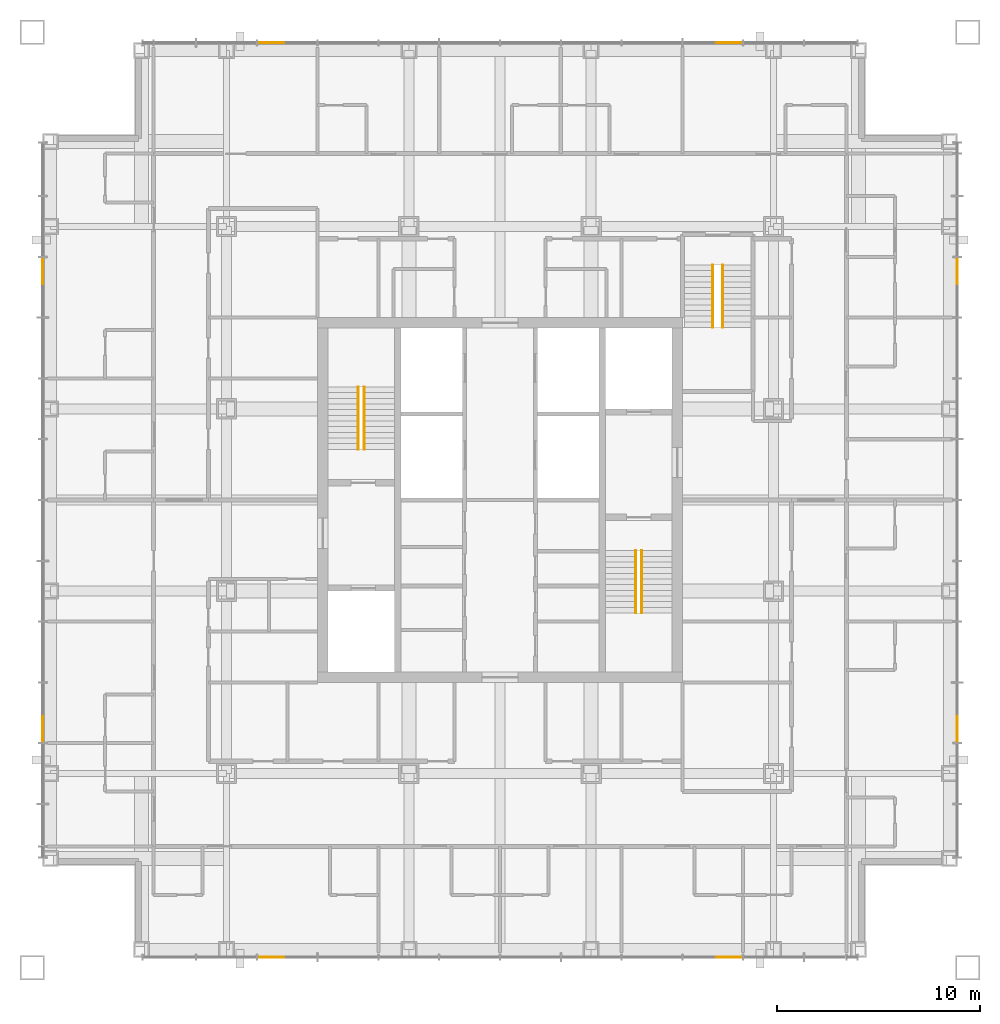
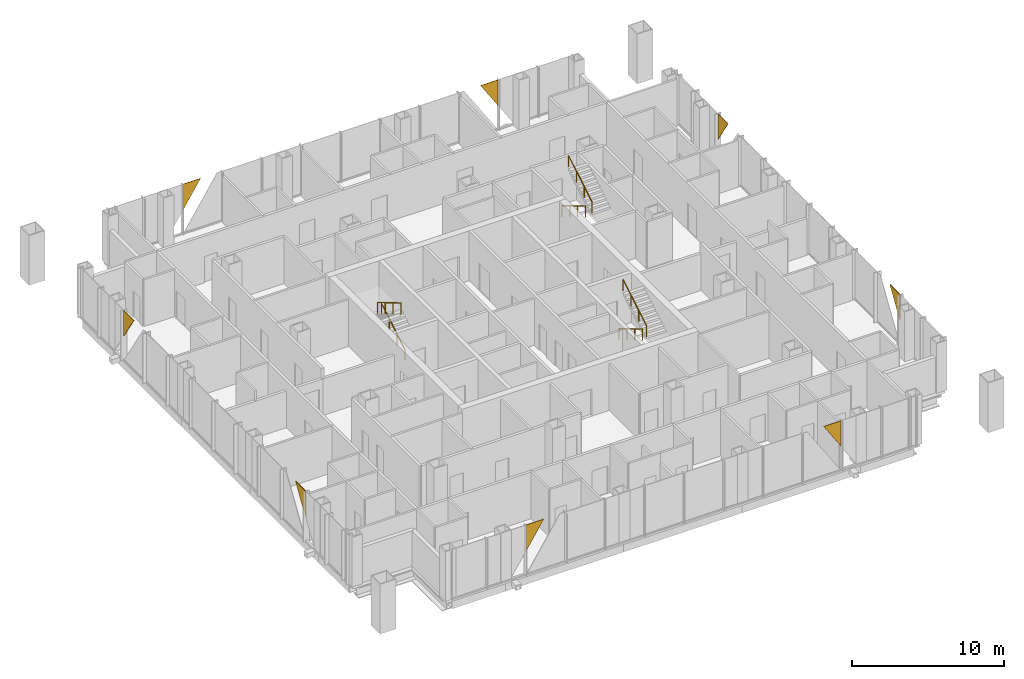
# One storey, part 18 of 18: 8 coverings, 6 railings.
"""IFC4 building model written with IfcOpenShell, lengths in metres."""

from ifc_helpers import new_model, si_unit, direction, frame, origin, origin_2d, place, context, subcontext, project, spatial, polyline, circle, outline, extrude, material, layer, layer_set, type_object, element, save


model = new_model("IFC4")

# Units and contexts
model_context = context("Model", 3, precision=1e-05, world=origin(), true_north=direction((0.0, 1.0)))
body_context = subcontext(model_context, "Body", "Model", "MODEL_VIEW")
ifc_project = project(units=[si_unit("LENGTHUNIT", "METRE"), si_unit("AREAUNIT", "SQUARE_METRE"), si_unit("VOLUMEUNIT", "CUBIC_METRE"), si_unit("PLANEANGLEUNIT", "RADIAN"), si_unit("MASSUNIT", "GRAM", prefix="KILO")], contexts=[model_context])

# Site, building, storey
site_placement = place(None, origin())
site = spatial("IfcSite", under=ifc_project, at=site_placement, CompositionType="ELEMENT")
building_placement = place(site_placement, origin())
building = spatial("IfcBuilding", under=site, at=building_placement, Name="Malebo Sky Hospital", CompositionType="ELEMENT")
storey_placement = place(building_placement, frame((0.0, 0.0, 225.0)))
storey = spatial("IfcBuildingStorey", under=building, at=storey_placement, Name="L54", CompositionType="ELEMENT", Elevation=225.0)

# Coverings
ifc_material_1 = material(Name="Anodised aluminium, natural silver insulated infill panel", Category="aluminium")
ifc_layer = layer(ifc_material_1, 0.0400390625)
ifc_layer_set = layer_set([ifc_layer], Name="BRACE INFILL PANEL 40")
covering_type = type_object("IfcCoveringType", Name="BRACE INFILL PANEL 40", PredefinedType="CLADDING", material=ifc_layer_set)
covering_1_placement = place(storey_placement, frame((48.6982421875, 84.574951171875, 1.930419921875), z_axis=(0.0, 0.0, 1.0), x_axis=(1.0, 0.0, 0.0)))
element("IfcCovering", 1, at=covering_1_placement, inside=storey, type_object=covering_type, Name="Brace infill panel 4.1", PredefinedType="CLADDING", context=body_context, shape_type="SweptSolid", body=[
    extrude(outline(polyline([(-0.660888671875, 0.0), (0.660888671875, 2.0595703125), (-0.660888671875, 2.0595703125), (-0.660888671875, 0.0)])), frame((0.0, 0.02001953125, 0.0), z_axis=(0.0, -1.0, 0.0), x_axis=(1.0, 0.0, 0.0)), (0.0, 0.0, 1.0), 0.0400390625),
])
covering_2_placement = place(storey_placement, frame((71.3017578125, 84.574951171875, 1.930419921875), z_axis=(0.0, 0.0, 1.0), x_axis=(1.0, 0.0, 0.0)))
element("IfcCovering", 2, at=covering_2_placement, inside=storey, type_object=covering_type, Name="Brace infill panel 11.1", PredefinedType="CLADDING", context=body_context, shape_type="SweptSolid", body=[
    extrude(outline(polyline([(0.660888671875, 0.0), (0.660888671875, 2.0595703125), (-0.660888671875, 2.0595703125), (0.660888671875, 0.0)])), frame((0.0, 0.02001953125, 0.0), z_axis=(0.0, -1.0, 0.0), x_axis=(1.0, 0.0, 0.0)), (0.0, 0.0, 1.0), 0.0400390625),
])
covering_3_placement = place(storey_placement, frame((37.425048828125, 50.6982421875, 1.930419921875), z_axis=(0.0, 0.0, 1.0), x_axis=(0.0, 1.0, 0.0)))
element("IfcCovering", 3, at=covering_3_placement, inside=storey, type_object=covering_type, Name="Brace infill panel 4.1", PredefinedType="CLADDING", context=body_context, shape_type="SweptSolid", body=[
    extrude(outline(polyline([(-0.660888671875, 0.0), (0.660888671875, 2.0595703125), (-0.660888671875, 2.0595703125), (-0.660888671875, 0.0)])), frame((0.0, 0.02001953125, 0.0), z_axis=(0.0, -1.0, 0.0), x_axis=(1.0, 0.0, 0.0)), (0.0, 0.0, 1.0), 0.0400390625),
])
covering_4_placement = place(storey_placement, frame((37.425048828125, 73.3017578125, 1.930419921875), z_axis=(0.0, 0.0, 1.0), x_axis=(0.0, 1.0, 0.0)))
element("IfcCovering", 4, at=covering_4_placement, inside=storey, type_object=covering_type, Name="Brace infill panel 11.1", PredefinedType="CLADDING", context=body_context, shape_type="SweptSolid", body=[
    extrude(outline(polyline([(0.660888671875, 0.0), (0.660888671875, 2.0595703125), (-0.660888671875, 2.0595703125), (0.660888671875, 0.0)])), frame((0.0, 0.02001953125, 0.0), z_axis=(0.0, -1.0, 0.0), x_axis=(1.0, 0.0, 0.0)), (0.0, 0.0, 1.0), 0.0400390625),
])
covering_5_placement = place(storey_placement, frame((71.3017578125, 39.425048828125, 1.930419921875), z_axis=(0.0, 0.0, 1.0), x_axis=(-1.0, 0.0, 0.0)))
element("IfcCovering", 5, at=covering_5_placement, inside=storey, type_object=covering_type, Name="Brace infill panel 4.1", PredefinedType="CLADDING", context=body_context, shape_type="SweptSolid", body=[
    extrude(outline(polyline([(-0.660888671875, 0.0), (0.660888671875, 2.0595703125), (-0.660888671875, 2.0595703125), (-0.660888671875, 0.0)])), frame((0.0, 0.02001953125, 0.0), z_axis=(0.0, -1.0, 0.0), x_axis=(1.0, 0.0, 0.0)), (0.0, 0.0, 1.0), 0.0400390625),
])
covering_6_placement = place(storey_placement, frame((48.6982421875, 39.425048828125, 1.930419921875), z_axis=(0.0, 0.0, 1.0), x_axis=(-1.0, 0.0, 0.0)))
element("IfcCovering", 6, at=covering_6_placement, inside=storey, type_object=covering_type, Name="Brace infill panel 11.1", PredefinedType="CLADDING", context=body_context, shape_type="SweptSolid", body=[
    extrude(outline(polyline([(0.660888671875, 0.0), (0.660888671875, 2.0595703125), (-0.660888671875, 2.0595703125), (0.660888671875, 0.0)])), frame((0.0, 0.02001953125, 0.0), z_axis=(0.0, -1.0, 0.0), x_axis=(1.0, 0.0, 0.0)), (0.0, 0.0, 1.0), 0.0400390625),
])
covering_7_placement = place(storey_placement, frame((82.574951171875, 73.3017578125, 1.930419921875), z_axis=(0.0, 0.0, 1.0), x_axis=(0.0, -1.0, 0.0)))
element("IfcCovering", 7, at=covering_7_placement, inside=storey, type_object=covering_type, Name="Brace infill panel 4.1", PredefinedType="CLADDING", context=body_context, shape_type="SweptSolid", body=[
    extrude(outline(polyline([(-0.660888671875, 0.0), (0.660888671875, 2.0595703125), (-0.660888671875, 2.0595703125), (-0.660888671875, 0.0)])), frame((0.0, 0.02001953125, 0.0), z_axis=(0.0, -1.0, 0.0), x_axis=(1.0, 0.0, 0.0)), (0.0, 0.0, 1.0), 0.0400390625),
])
covering_8_placement = place(storey_placement, frame((82.574951171875, 50.6982421875, 1.930419921875), z_axis=(0.0, 0.0, 1.0), x_axis=(0.0, -1.0, 0.0)))
element("IfcCovering", 8, at=covering_8_placement, inside=storey, type_object=covering_type, Name="Brace infill panel 11.1", PredefinedType="CLADDING", context=body_context, shape_type="SweptSolid", body=[
    extrude(outline(polyline([(0.660888671875, 0.0), (0.660888671875, 2.0595703125), (-0.660888671875, 2.0595703125), (0.660888671875, 0.0)])), frame((0.0, 0.02001953125, 0.0), z_axis=(0.0, -1.0, 0.0), x_axis=(1.0, 0.0, 0.0)), (0.0, 0.0, 1.0), 0.0400390625),
])

# Railings
ifc_material_2 = material(Name="Stainless steel tube", Category="steel")
railing_type = type_object("IfcRailingType", Name="STAIR HANDRAIL 900", PredefinedType="HANDRAIL", material=ifc_material_2)
railing_1_placement = place(storey_placement, frame((53.300048828125, 64.5, 0.166748046875)))
element("IfcRailing", 9, at=railing_1_placement, inside=storey, type_object=railing_type, Name="Stair handrail S1 flight 1", PredefinedType="HANDRAIL", context=body_context, shape_type="SweptSolid", body=[
    extrude(circle(Radius=0.02392578125, at=origin_2d()), frame((0.0, 0.0, 0.8759765625), z_axis=(0.0, 0.859308565015, 0.511457515432), x_axis=(-1.0, 0.0, 0.0)), (0.0, 0.0, 1.0), 3.58447265625),
    extrude(circle(Radius=0.02099609375, at=origin_2d()), origin(), (0.0, 0.0, 1.0), 0.851806640625),
    extrude(circle(Radius=0.02099609375, at=origin_2d()), frame((0.0, 1.026611328125, 0.611083984375)), (0.0, 0.0, 1.0), 0.851806640625),
    extrude(circle(Radius=0.02099609375, at=origin_2d()), frame((0.0, 2.053466796875, 1.22216796875)), (0.0, 0.0, 1.0), 0.851806640625),
    extrude(circle(Radius=0.02099609375, at=origin_2d()), frame((0.0, 3.080078125, 1.833251953125)), (0.0, 0.0, 1.0), 0.851806640625),
])
for number, where, name in (
    (10, (53.0, 67.580078125, 2.166748046875), "Stair handrail S1 flight 2"),
    (11, (66.699951171875, 59.5, 0.166748046875), "Stair handrail S2 flight 1"),
):
    element("IfcRailing", number, at=place(storey_placement, frame(where)), inside=storey, type_object=railing_type, Name=name, PredefinedType="HANDRAIL", context=body_context, shape_type="SweptSolid", body=[
        extrude(circle(Radius=0.02392578125, at=origin_2d()), frame((0.0, 0.0, 0.8759765625), z_axis=(0.0, -0.859308565015, 0.511457515432), x_axis=(1.0, 0.0, 0.0)), (0.0, 0.0, 1.0), 3.58447265625),
        extrude(circle(Radius=0.02099609375, at=origin_2d()), origin(), (0.0, 0.0, 1.0), 0.851806640625),
        extrude(circle(Radius=0.02099609375, at=origin_2d()), frame((0.0, -1.026611328125, 0.611083984375)), (0.0, 0.0, 1.0), 0.851806640625),
        extrude(circle(Radius=0.02099609375, at=origin_2d()), frame((0.0, -2.053466796875, 1.22216796875)), (0.0, 0.0, 1.0), 0.851806640625),
        extrude(circle(Radius=0.02099609375, at=origin_2d()), frame((0.0, -3.080078125, 1.833251953125)), (0.0, 0.0, 1.0), 0.851806640625),
    ])
railing_2_placement = place(storey_placement, frame((67.0, 56.419921875, 2.166748046875)))
element("IfcRailing", 12, at=railing_2_placement, inside=storey, type_object=railing_type, Name="Stair handrail S2 flight 2", PredefinedType="HANDRAIL", context=body_context, shape_type="SweptSolid", body=[
    extrude(circle(Radius=0.02392578125, at=origin_2d()), frame((0.0, 0.0, 0.8759765625), z_axis=(0.0, 0.859308565015, 0.511457515432), x_axis=(-1.0, 0.0, 0.0)), (0.0, 0.0, 1.0), 3.58447265625),
    extrude(circle(Radius=0.02099609375, at=origin_2d()), origin(), (0.0, 0.0, 1.0), 0.851806640625),
    extrude(circle(Radius=0.02099609375, at=origin_2d()), frame((0.0, 1.026611328125, 0.611083984375)), (0.0, 0.0, 1.0), 0.851806640625),
    extrude(circle(Radius=0.02099609375, at=origin_2d()), frame((0.0, 2.053466796875, 1.22216796875)), (0.0, 0.0, 1.0), 0.851806640625),
    extrude(circle(Radius=0.02099609375, at=origin_2d()), frame((0.0, 3.080078125, 1.833251953125)), (0.0, 0.0, 1.0), 0.851806640625),
])
railing_3_placement = place(storey_placement, frame((70.5, 73.60009765625, 0.166748046875)))
element("IfcRailing", 13, at=railing_3_placement, inside=storey, type_object=railing_type, Name="Stair handrail S3 flight 1", PredefinedType="HANDRAIL", context=body_context, shape_type="SweptSolid", body=[
    extrude(circle(Radius=0.02392578125, at=origin_2d()), frame((0.0, 0.0, 0.8759765625), z_axis=(0.0, -0.859308565015, 0.511457515432), x_axis=(1.0, 0.0, 0.0)), (0.0, 0.0, 1.0), 3.58447265625),
    extrude(circle(Radius=0.02099609375, at=origin_2d()), origin(), (0.0, 0.0, 1.0), 0.851806640625),
    extrude(circle(Radius=0.02099609375, at=origin_2d()), frame((0.0, -1.026611328125, 0.611083984375)), (0.0, 0.0, 1.0), 0.851806640625),
    extrude(circle(Radius=0.02099609375, at=origin_2d()), frame((0.0, -2.053466796875, 1.22216796875)), (0.0, 0.0, 1.0), 0.851806640625),
    extrude(circle(Radius=0.02099609375, at=origin_2d()), frame((0.0, -3.080078125, 1.833251953125)), (0.0, 0.0, 1.0), 0.851806640625),
])
railing_4_placement = place(storey_placement, frame((71.0, 70.52001953125, 2.166748046875)))
element("IfcRailing", 14, at=railing_4_placement, inside=storey, type_object=railing_type, Name="Stair handrail S3 flight 2", PredefinedType="HANDRAIL", context=body_context, shape_type="SweptSolid", body=[
    extrude(circle(Radius=0.02392578125, at=origin_2d()), frame((0.0, 0.0, 0.8759765625), z_axis=(0.0, 0.859308565015, 0.511457515432), x_axis=(-1.0, 0.0, 0.0)), (0.0, 0.0, 1.0), 3.58447265625),
    extrude(circle(Radius=0.02099609375, at=origin_2d()), origin(), (0.0, 0.0, 1.0), 0.851806640625),
    extrude(circle(Radius=0.02099609375, at=origin_2d()), frame((0.0, 1.026611328125, 0.611083984375)), (0.0, 0.0, 1.0), 0.851806640625),
    extrude(circle(Radius=0.02099609375, at=origin_2d()), frame((0.0, 2.053466796875, 1.22216796875)), (0.0, 0.0, 1.0), 0.851806640625),
    extrude(circle(Radius=0.02099609375, at=origin_2d()), frame((0.0, 3.080078125, 1.833251953125)), (0.0, 0.0, 1.0), 0.851806640625),
])

save(model, "model.ifc")
